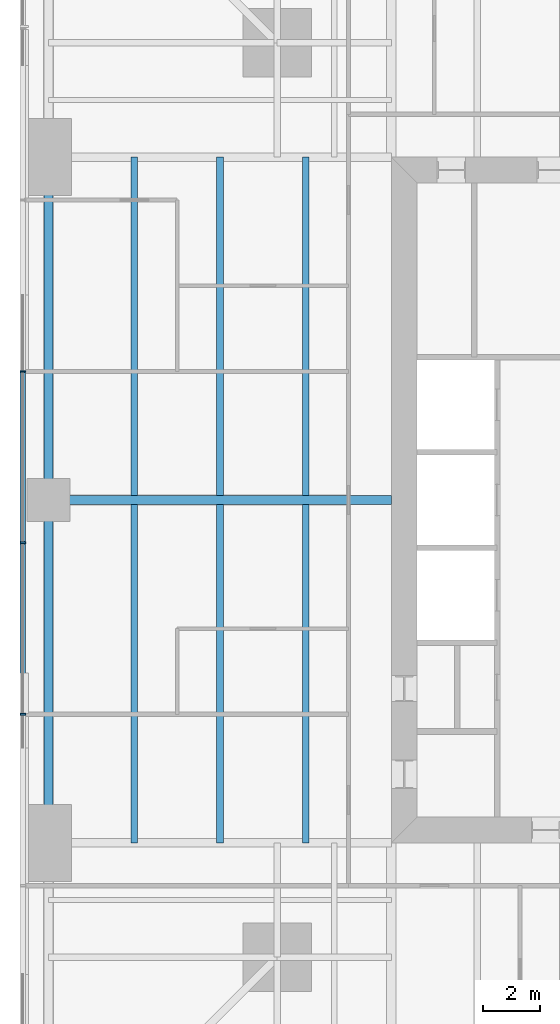
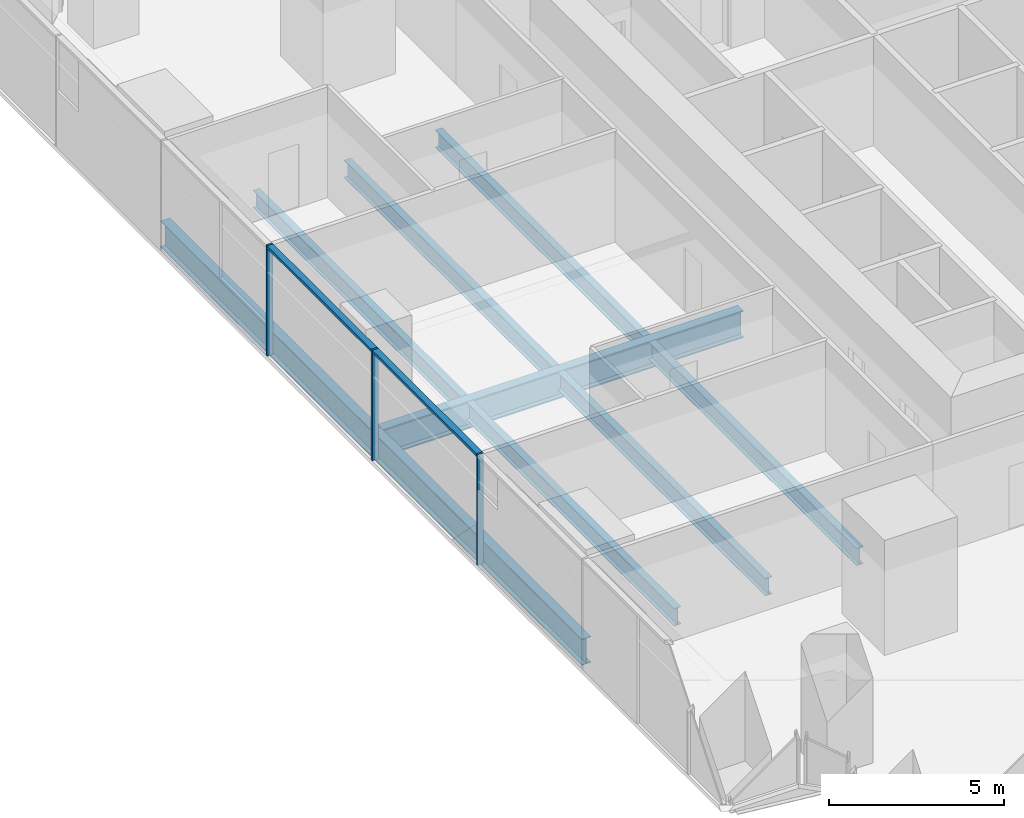
# One storey, part 4 of 15: 9 beams, 5 members, 1 element without a shape of its own.
"""IFC4 building model written with IfcOpenShell, lengths in metres."""

from ifc_helpers import new_model, si_unit, direction, frame, origin, origin_2d, place, context, subcontext, project, spatial, rectangle, i_section, extrude, material, material_profile, profile_set, type_object, element, aggregate, save


model = new_model("IFC4")

# Units and contexts
model_context = context("Model", 3, precision=1e-05, world=origin(), true_north=direction((0.0, 1.0)))
body_context = subcontext(model_context, "Body", "Model", "MODEL_VIEW")
ifc_project = project(units=[si_unit("LENGTHUNIT", "METRE"), si_unit("AREAUNIT", "SQUARE_METRE"), si_unit("VOLUMEUNIT", "CUBIC_METRE"), si_unit("PLANEANGLEUNIT", "RADIAN"), si_unit("MASSUNIT", "GRAM", prefix="KILO")], contexts=[model_context])

# Site, building, storey
site_placement = place(None, origin())
site = spatial("IfcSite", under=ifc_project, at=site_placement, CompositionType="ELEMENT")
building_placement = place(site_placement, origin())
building = spatial("IfcBuilding", under=site, at=building_placement, Name="Fenwick Lantern Interchange", CompositionType="ELEMENT")
storey_placement = place(building_placement, frame((0.0, 0.0, 51.0)))
storey = spatial("IfcBuildingStorey", under=building, at=storey_placement, Name="L11", CompositionType="ELEMENT", Elevation=51.0)

# Beams
ifc_material_1 = material(Name="Steel ASTM A992 Grade 50", Category="steel")
ifc_material_profile_1 = material_profile(ifc_material_1, i_section(OverallWidth=0.3046875, OverallDepth=0.911865234375, WebThickness=0.015869140625, FlangeThickness=0.02392578125, at=origin_2d()), Name="W36X150")
ifc_profile_set_1 = profile_set([ifc_material_profile_1], Name="Steel ASTM A992 Grade 50")
beam_type_1 = type_object("IfcBeamType", Name="EDGE BEAM W36X150", PredefinedType="SPANDREL", material=ifc_profile_set_1)
for number, where, z_axis, x_axis, name in (
    (1, (1.0, 37.0, -0.60595703125), (0.0, -1.0, 0.0), (1.0, 0.0, 0.0), "L11/FR/W/EB2"),
    (2, (1.0, 25.0, -0.60595703125), (0.0, -1.0, 0.0), (1.0, 0.0, 0.0), "L11/FR/W/EB3"),
):
    element("IfcBeam", number, at=place(storey_placement, frame(where, z_axis=z_axis, x_axis=x_axis)), inside=storey, type_object=beam_type_1, Name=name, PredefinedType="SPANDREL", context=body_context, shape_type="SweptSolid", body=[
        extrude(i_section(OverallWidth=0.3046875, OverallDepth=0.911865234375, WebThickness=0.015869140625, FlangeThickness=0.02392578125, at=origin_2d()), origin(), (0.0, 0.0, 1.0), 12.0),
    ])
ifc_material_profile_2 = material_profile(ifc_material_1, i_section(OverallWidth=0.22900390625, OverallDepth=0.612060546875, WebThickness=0.011962890625, FlangeThickness=0.01953125, at=origin_2d()), Name="W24X84")
ifc_profile_set_2 = profile_set([ifc_material_profile_2], Name="Steel ASTM A992 Grade 50")
beam_type_2 = type_object("IfcBeamType", Name="FLOOR BEAM W24X84", PredefinedType="BEAM", material=ifc_profile_set_2)
for number, where, z_axis, x_axis, name in (
    (3, (4.0, 37.0, -0.4560546875), (0.0, -1.0, 0.0), (1.0, 0.0, 0.0), "L11/FR/W/B01"),
    (4, (7.0, 37.0, -0.4560546875), (0.0, -1.0, 0.0), (1.0, 0.0, 0.0), "L11/FR/W/B02"),
    (5, (10.0, 37.0, -0.4560546875), (0.0, -1.0, 0.0), (1.0, 0.0, 0.0), "L11/FR/W/B03"),
    (6, (4.0, 24.844970703125, -0.4560546875), (0.0, -1.0, 0.0), (1.0, 0.0, 0.0), "L11/FR/W/B04"),
    (7, (7.0, 24.844970703125, -0.4560546875), (0.0, -1.0, 0.0), (1.0, 0.0, 0.0), "L11/FR/W/B05"),
    (8, (10.0, 24.844970703125, -0.4560546875), (0.0, -1.0, 0.0), (1.0, 0.0, 0.0), "L11/FR/W/B06"),
):
    element("IfcBeam", number, at=place(storey_placement, frame(where, z_axis=z_axis, x_axis=x_axis)), inside=storey, type_object=beam_type_2, Name=name, PredefinedType="BEAM", context=body_context, shape_type="SweptSolid", body=[
        extrude(i_section(OverallWidth=0.22900390625, OverallDepth=0.612060546875, WebThickness=0.011962890625, FlangeThickness=0.01953125, at=origin_2d()), origin(), (0.0, 0.0, 1.0), 11.844970703125),
    ])
ifc_material_profile_3 = material_profile(ifc_material_1, i_section(OverallWidth=0.309814453125, OverallDepth=0.949951171875, WebThickness=0.0244140625, FlangeThickness=0.0439453125, at=origin_2d()), Name="W36X256")
ifc_profile_set_3 = profile_set([ifc_material_profile_3], Name="Steel ASTM A992 Grade 50")
beam_type_3 = type_object("IfcBeamType", Name="MOMENT-CONNECTED GIRDER W36X256", PredefinedType="BEAM", material=ifc_profile_set_3)
beam_placement = place(storey_placement, frame((1.0, 25.0, -0.625), z_axis=(1.0, 0.0, 0.0), x_axis=(0.0, 1.0, 0.0)))
element("IfcBeam", 9, at=beam_placement, inside=storey, type_object=beam_type_3, Name="L11/FR/W/R02", PredefinedType="BEAM", context=body_context, shape_type="SweptSolid", body=[
    extrude(i_section(OverallWidth=0.309814453125, OverallDepth=0.949951171875, WebThickness=0.0244140625, FlangeThickness=0.0439453125, at=origin_2d()), origin(), (0.0, 0.0, 1.0), 12.0),
])

# Curtain wall, members
ifc_material_2 = material(Name="Aluminium curtain wall frame", Category="aluminium")
curtain_wall_type = type_object("IfcCurtainWallType", Name="OFFICE CURTAIN WALL", PredefinedType="USERDEFINED", material=ifc_material_2)
curtain_wall_placement = place(storey_placement, origin())
curtain_wall = element("IfcCurtainWall", 10, at=curtain_wall_placement, inside=storey, type_object=curtain_wall_type, Name="Office curtain wall 13", ObjectType="OFFICE CURTAIN WALL", PredefinedType="USERDEFINED")
ifc_material_3 = material(Name="Aluminium extrusion", Category="aluminium")
ifc_material_profile_4 = material_profile(ifc_material_3, rectangle(XDim=0.199951171875, YDim=0.06494140625, at=origin_2d()), Name="OFFICE CURTAIN WALL MULLION 65 X 200")
ifc_profile_set_4 = profile_set([ifc_material_profile_4], Name="Aluminium extrusion")
member_type_1 = type_object("IfcMemberType", Name="OFFICE CURTAIN WALL MULLION 65 X 200", PredefinedType="MULLION", material=ifc_profile_set_4)
member_1_placement = place(storey_placement, frame((0.10009765625, 29.5, 0.0), z_axis=(0.0, 0.0, 1.0), x_axis=(1.0, 0.0, 0.0)))
member_1 = element("IfcMember", 11, at=member_1_placement, type_object=member_type_1, Name="L11/CW/13/M03", PredefinedType="MULLION", context=body_context, shape_type="SweptSolid", body=[
    extrude(rectangle(XDim=0.199951171875, YDim=0.06494140625, at=origin_2d()), origin(), (0.0, 0.0, 1.0), 3.85009765625),
])
member_2_placement = place(storey_placement, frame((0.10009765625, 23.5, 0.0), z_axis=(0.0, 0.0, 1.0), x_axis=(1.0, 0.0, 0.0)))
member_2 = element("IfcMember", 12, at=member_2_placement, type_object=member_type_1, Name="L11/CW/13/M04", PredefinedType="MULLION", context=body_context, shape_type="SweptSolid", body=[
    extrude(rectangle(XDim=0.199951171875, YDim=0.06494140625, at=origin_2d()), origin(), (0.0, 0.0, 1.0), 3.85009765625),
])
member_3_placement = place(storey_placement, frame((0.10009765625, 17.5, 0.0), z_axis=(0.0, 0.0, 1.0), x_axis=(1.0, 0.0, 0.0)))
member_3 = element("IfcMember", 13, at=member_3_placement, type_object=member_type_1, Name="L11/CW/13/M05", PredefinedType="MULLION", context=body_context, shape_type="SweptSolid", body=[
    extrude(rectangle(XDim=0.199951171875, YDim=0.06494140625, at=origin_2d()), origin(), (0.0, 0.0, 1.0), 3.85009765625),
])
ifc_material_profile_5 = material_profile(ifc_material_3, rectangle(XDim=0.199951171875, YDim=0.10009765625, at=origin_2d()), Name="OFFICE CURTAIN WALL TRANSOM 100 X 200")
ifc_profile_set_5 = profile_set([ifc_material_profile_5], Name="Aluminium extrusion")
member_type_2 = type_object("IfcMemberType", Name="OFFICE CURTAIN WALL TRANSOM 100 X 200", PredefinedType="MULLION", material=ifc_profile_set_5)
member_4_placement = place(storey_placement, frame((0.10009765625, 29.467529296875, 3.800048828125), z_axis=(0.0, -1.0, 0.0), x_axis=(1.0, 0.0, 0.0)))
member_4 = element("IfcMember", 14, at=member_4_placement, type_object=member_type_2, Name="L11/CW/13/T03", PredefinedType="MULLION", context=body_context, shape_type="SweptSolid", body=[
    extrude(rectangle(XDim=0.199951171875, YDim=0.10009765625, at=origin_2d()), origin(), (0.0, 0.0, 1.0), 5.93505859375),
])
member_5_placement = place(storey_placement, frame((0.10009765625, 23.467529296875, 3.800048828125), z_axis=(0.0, -1.0, 0.0), x_axis=(1.0, 0.0, 0.0)))
member_5 = element("IfcMember", 15, at=member_5_placement, type_object=member_type_2, Name="L11/CW/13/T04", PredefinedType="MULLION", context=body_context, shape_type="SweptSolid", body=[
    extrude(rectangle(XDim=0.199951171875, YDim=0.10009765625, at=origin_2d()), origin(), (0.0, 0.0, 1.0), 5.93505859375),
])
aggregate(curtain_wall, [member_1, member_2, member_3, member_4, member_5])

save(model, "model.ifc")
